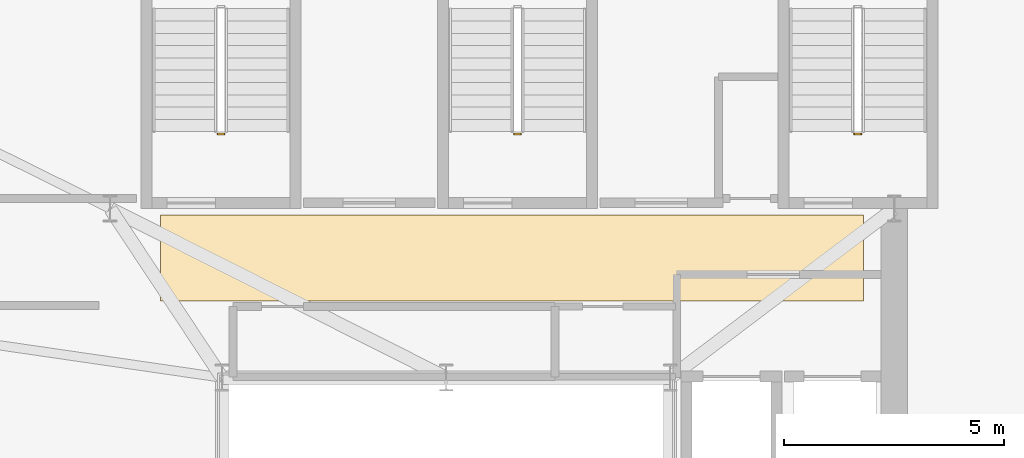
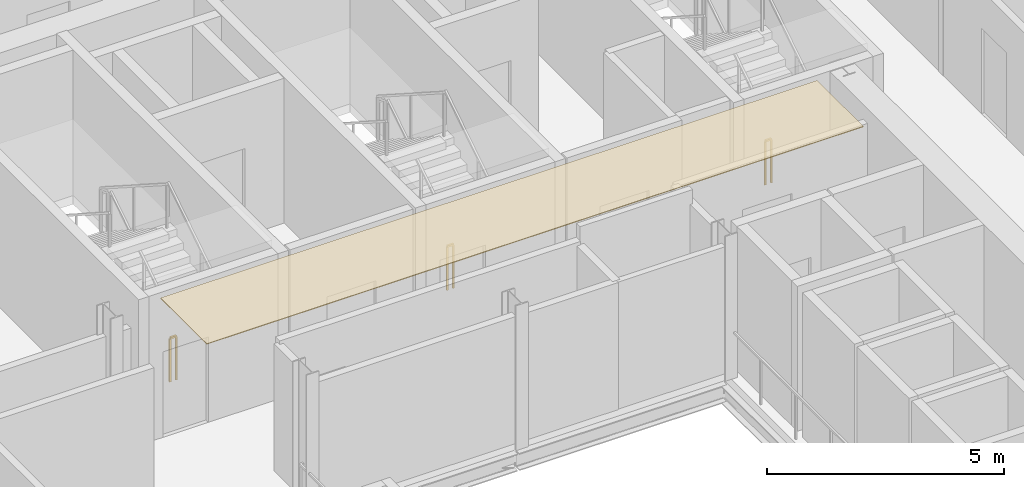
# One storey, part 13 of 15: 3 railings, 1 covering.
"""IFC4 building model written with IfcOpenShell, lengths in metres."""

import ifcopenshell
import ifcopenshell.guid

model = None  # the IFC model being written
_history = None  # IfcOwnerHistory: only IFC2X3 demands one
_inside = {}  # id of a spatial element -> (the spatial element, [elements in it])
_under = {}  # id of a project, library or spatial element -> (it, [spatial elements below it])
_declared = {}  # id of a project -> (the project, [libraries it declares])
_typed = {}  # id of a type object -> (the type object, [elements of that type])
_made_of = {}  # id of a material, layer set ... -> (it, [elements and type objects made of it])


def new_model(schema):
    """Start an empty IFC model of exactly this schema.

    Asked for "IFC4X3", IfcOpenShell would pick the latest addendum, in which some entities
    have other attributes; the version numbers below select the first issue.
    IFC2X3 requires an IfcOwnerHistory on every rooted entity: one is made here for all.
    """
    global model, _history
    if schema == "IFC4X3":
        model = ifcopenshell.file(schema_version=(4, 3, 0, 0))
    else:
        model = ifcopenshell.file(schema=schema)
    _inside.clear()
    _under.clear()
    _declared.clear()
    _typed.clear()
    _made_of.clear()
    _history = None
    if model.schema == "IFC2X3":
        org = make("IfcOrganization", Name="unknown")
        user = make(
            "IfcPersonAndOrganization",
            ThePerson=make("IfcPerson", FamilyName="unknown"),
            TheOrganization=org,
        )
        app = make(
            "IfcApplication",
            ApplicationDeveloper=org,
            Version="unknown",
            ApplicationFullName="unknown",
            ApplicationIdentifier="unknown",
        )
        _history = make(
            "IfcOwnerHistory",
            OwningUser=user,
            OwningApplication=app,
            ChangeAction="ADDED",
            CreationDate=0,
        )
    return model


def make(cls, **values):
    """One entity of the class cls with the attributes given. An attribute that is None is left unset."""
    return model.create_entity(
        cls, **{name: value for name, value in values.items() if value is not None}
    )


def rooted(cls, **values):
    """An entity with a GlobalId (a new one), such as an element, a storey or a relation."""
    return make(cls, GlobalId=ifcopenshell.guid.new(), OwnerHistory=_history, **values)


def si_unit(unit_type, name, prefix=None):
    """IfcSIUnit, for example si_unit("LENGTHUNIT", "METRE", prefix="MILLI")."""
    return make("IfcSIUnit", UnitType=unit_type, Prefix=prefix, Name=name)


def assignment(units):
    """IfcUnitAssignment: the units of a project."""
    return None if units is None else make("IfcUnitAssignment", Units=units)


def point(xyz):
    """IfcCartesianPoint."""
    return None if xyz is None else make("IfcCartesianPoint", Coordinates=xyz)


def direction(xyz):
    """IfcDirection."""
    return None if xyz is None else make("IfcDirection", DirectionRatios=xyz)


def frame(location, z_axis=None, x_axis=None):
    """IfcAxis2Placement3D, a coordinate frame: its origin and axes. An axis left out is left unset."""
    return make(
        "IfcAxis2Placement3D",
        Location=point(location),
        Axis=direction(z_axis),
        RefDirection=direction(x_axis),
    )


def frame_2d(location, x_axis=None):
    """IfcAxis2Placement2D, a coordinate frame in the plane: its origin and x axis."""
    return make(
        "IfcAxis2Placement2D", Location=point(location), RefDirection=direction(x_axis)
    )


def origin():
    """The frame at (0, 0, 0) with its axes left unset."""
    return frame((0.0, 0.0, 0.0))


def origin_2d():
    """The frame at (0, 0) in the plane with its x axis left unset."""
    return frame_2d((0.0, 0.0))


def place(relative_to, where):
    """IfcLocalPlacement: puts the frame where relative to a parent placement (None: the world)."""
    return make(
        "IfcLocalPlacement", PlacementRelTo=relative_to, RelativePlacement=where
    )


def context(
    kind, dimensions, precision=None, world=None, true_north=None, identifier=None
):
    """IfcGeometricRepresentationContext, for example the 3D "Model" context."""
    return make(
        "IfcGeometricRepresentationContext",
        ContextIdentifier=identifier,
        ContextType=kind,
        CoordinateSpaceDimension=dimensions,
        Precision=precision,
        WorldCoordinateSystem=world,
        TrueNorth=true_north,
    )


def subcontext(parent, identifier, kind, view, scale=None):
    """IfcGeometricRepresentationSubContext, for example "Body" below "Model"."""
    return make(
        "IfcGeometricRepresentationSubContext",
        ContextIdentifier=identifier,
        ContextType=kind,
        ParentContext=parent,
        TargetScale=scale,
        TargetView=view,
    )


def project(units=None, contexts=None):
    """IfcProject with its units and contexts."""
    return rooted(
        "IfcProject",
        Name="project",
        RepresentationContexts=contexts,
        UnitsInContext=assignment(units),
    )


def spatial(cls, under=None, at=None, **own):
    """A site, building, storey or space (cls), placed at a placement, below another one or the project."""
    s = rooted(cls, ObjectPlacement=at, **own)
    if under is not None:
        _under.setdefault(under.id(), (under, []))[1].append(s)
    return s


def polyline(points):
    """IfcPolyline through the points."""
    return make("IfcPolyline", Points=[point(p) for p in points])


def profile(cls, at=None, kind="AREA", **sizes):
    """A parametric profile (cls). Its sizes go by their IFC names, for example OverallWidth=200.0."""
    return make(cls, ProfileType=kind, Position=at, **sizes)


def rectangle(**sizes):
    """IfcRectangleProfileDef."""
    return profile("IfcRectangleProfileDef", **sizes)


def outline(outer, holes=None, kind="AREA"):
    """IfcArbitraryClosedProfileDef: a profile drawn as a closed curve; with holes, ...WithVoids."""
    if holes is None:
        return make("IfcArbitraryClosedProfileDef", ProfileType=kind, OuterCurve=outer)
    return make(
        "IfcArbitraryProfileDefWithVoids",
        ProfileType=kind,
        OuterCurve=outer,
        InnerCurves=holes,
    )


def extrude(swept, where, along, depth):
    """IfcExtrudedAreaSolid: the profile swept, set in the frame where, extruded along a direction by depth."""
    return make(
        "IfcExtrudedAreaSolid",
        SweptArea=swept,
        Position=where,
        ExtrudedDirection=direction(along),
        Depth=depth,
    )


def shape(context_of_items, identifier, shape_type, items):
    """IfcShapeRepresentation: the items that make up one representation, for example the "Body"."""
    return make(
        "IfcShapeRepresentation",
        ContextOfItems=context_of_items,
        RepresentationIdentifier=identifier,
        RepresentationType=shape_type,
        Items=items,
    )


def source(mapping_origin, context_of_items, identifier, shape_type, items):
    """IfcRepresentationMap: a shape defined once, which mapped items show again and again."""
    return make(
        "IfcRepresentationMap",
        MappingOrigin=mapping_origin,
        MappedRepresentation=shape(context_of_items, identifier, shape_type, items),
    )


def transform(
    local_origin,
    x_axis=None,
    y_axis=None,
    z_axis=None,
    scale=None,
    scale2=None,
    scale3=None,
    uniform=True,
):
    """IfcCartesianTransformationOperator3D, or its non-uniform kind. x_axis, y_axis, z_axis: its Axis1, 2, 3."""
    if uniform:
        return make(
            "IfcCartesianTransformationOperator3D",
            Axis1=direction(x_axis),
            Axis2=direction(y_axis),
            LocalOrigin=point(local_origin),
            Scale=scale,
            Axis3=direction(z_axis),
        )
    return make(
        "IfcCartesianTransformationOperator3DnonUniform",
        Axis1=direction(x_axis),
        Axis2=direction(y_axis),
        LocalOrigin=point(local_origin),
        Scale=scale,
        Axis3=direction(z_axis),
        Scale2=scale2,
        Scale3=scale3,
    )


def mapped(mapping_source, mapping_target):
    """IfcMappedItem: shows the shape of a source again, moved by a transform."""
    return make(
        "IfcMappedItem", MappingSource=mapping_source, MappingTarget=mapping_target
    )


def material(Name=None, Category=None):
    """IfcMaterial."""
    return make("IfcMaterial", Name=Name, Category=Category)


def layer(
    of_material, thickness, ventilated=None, Name=None, Category=None, Priority=None
):
    """IfcMaterialLayer: one layer of a wall or slab, of a material (None: an air gap)."""
    return make(
        "IfcMaterialLayer",
        Material=of_material,
        LayerThickness=thickness,
        IsVentilated=ventilated,
        Name=Name,
        Category=Category,
        Priority=Priority,
    )


def layer_set(layers, Name=None):
    """IfcMaterialLayerSet."""
    return make("IfcMaterialLayerSet", MaterialLayers=layers, LayerSetName=Name)


def made_of(thing, what):
    """Note that an element or type object is made of a material, layer set ...; save() writes the relation."""
    if what is not None:
        _made_of.setdefault(what.id(), (what, []))[1].append(thing)
    return thing


def type_object(cls, material=None, **own):
    """A type object (cls), such as IfcWallType, which elements share."""
    return made_of(rooted(cls, **own), material)


def element(
    cls,
    number,
    at=None,
    inside=None,
    cuts=None,
    type_object=None,
    material=None,
    context=None,
    identifier="Body",
    shape_type=None,
    held_by="IfcProductDefinitionShape",
    body=None,
    shapes=None,
    **own,
):
    """One element of the class cls, such as IfcWall. Its Tag is "e" and its number.

    at: its placement. inside: the storey or other place that contains it. cuts: it is an
    opening in that element (IfcRelVoidsElement). A single representation is given by context,
    identifier, shape_type and body (its items); several are given by shapes. held_by: the class
    of the entity that holds the representations. save() writes the other relations.
    """
    e = rooted(cls, Tag="e%d" % number, ObjectPlacement=at, **own)
    if body is not None:
        shapes = [shape(context, identifier, shape_type, body)]
    if shapes is not None:
        e.Representation = make(held_by, Representations=shapes)
    if inside is not None:
        _inside.setdefault(inside.id(), (inside, []))[1].append(e)
    if cuts is not None:
        rooted(
            "IfcRelVoidsElement", RelatingBuildingElement=cuts, RelatedOpeningElement=e
        )
    if type_object is not None:
        _typed.setdefault(type_object.id(), (type_object, []))[1].append(e)
    return made_of(e, material)


def aggregate(whole, parts):
    """IfcRelAggregates: a whole, such as a stair, and the parts it consists of."""
    return rooted("IfcRelAggregates", RelatingObject=whole, RelatedObjects=parts)


def save(model, path):
    """Write the relations noted so far, then the file.

    IfcRelAggregates (storeys below a building ...), IfcRelContainedInSpatialStructure (elements
    in a storey), IfcRelDefinesByType, IfcRelAssociatesMaterial and IfcRelDeclares: one each for
    every whole, place, type object, material and project.
    """
    for whole, parts in _under.values():
        aggregate(whole, parts)
    for where, things in _inside.values():
        rooted(
            "IfcRelContainedInSpatialStructure",
            RelatedElements=things,
            RelatingStructure=where,
        )
    for kind, things in _typed.values():
        rooted("IfcRelDefinesByType", RelatedObjects=things, RelatingType=kind)
    for what, things in _made_of.values():
        rooted("IfcRelAssociatesMaterial", RelatedObjects=things, RelatingMaterial=what)
    for by, libraries in _declared.values():
        rooted("IfcRelDeclares", RelatingContext=by, RelatedDefinitions=libraries)
    model.write(path)


model = new_model("IFC4")

# Units and contexts
model_context = context("Model", 3, precision=1e-05, world=origin(), true_north=direction((0.0, 1.0)))
body_context = subcontext(model_context, "Body", "Model", "MODEL_VIEW")
ifc_project = project(units=[si_unit("LENGTHUNIT", "METRE"), si_unit("AREAUNIT", "SQUARE_METRE"), si_unit("VOLUMEUNIT", "CUBIC_METRE"), si_unit("PLANEANGLEUNIT", "RADIAN"), si_unit("MASSUNIT", "GRAM", prefix="KILO")], contexts=[model_context])

# Site, building, storey
site_placement = place(None, origin())
site = spatial("IfcSite", under=ifc_project, at=site_placement, CompositionType="ELEMENT")
building_placement = place(site_placement, origin())
building = spatial("IfcBuilding", under=site, at=building_placement, Name="Vardaveli Station Tower", CompositionType="ELEMENT")
storey_placement = place(building_placement, frame((0.0, 0.0, 246.64990234375)))
storey = spatial("IfcBuildingStorey", under=building, at=storey_placement, Name="L63", CompositionType="ELEMENT", Elevation=246.64990234375)

# Covering
ifc_material_1 = material(Name="Perforated acoustic mineral ceiling")
ifc_layer = layer(ifc_material_1, 0.02001953125, Name="Perforated acoustic mineral ceiling")
ifc_layer_set = layer_set([ifc_layer], Name="Perforated acoustic mineral ceiling")
covering_type = type_object("IfcCoveringType", Name="COV-CEIL-AC20", PredefinedType="CEILING", material=ifc_layer_set)
covering_placement = place(storey_placement, frame((0.0, 0.0, 3.715087890625)))
element("IfcCovering", 1, at=covering_placement, inside=storey, type_object=covering_type, Name="CEIL-L63-6", PredefinedType="CEILING", context=body_context, shape_type="SweptSolid", body=[
    extrude(outline(polyline([(29.800048828125, 28.550048828125), (45.800048828125, 28.550048828125), (45.800048828125, 30.5), (29.800048828125, 30.5), (29.800048828125, 28.550048828125)])), origin(), (0.0, 0.0, 1.0), 0.02001953125),
])

# Railings
ifc_material_2 = material(Name="Brushed AISI 316 stainless steel", Category="steel")
railing_type = type_object("IfcRailingType", Name="RL-GUARD-1150", PredefinedType="GUARDRAIL", material=ifc_material_2)
shared_shape = source(origin(), body_context, "Body", "SweptSolid", [
    extrude(rectangle(XDim=0.048095703125, YDim=0.048095703125, at=origin_2d()), frame((0.0, 0.0, 1.1259765625), z_axis=(-1.0, 0.0, 0.0), x_axis=(0.0, -1.0, 0.0)), (0.0, 0.0, 1.0), 0.14990234375),
    extrude(rectangle(XDim=0.0419921875, YDim=0.0419921875, at=origin_2d()), origin(), (0.0, 0.0, 1.0), 1.101806640625),
    extrude(rectangle(XDim=0.0419921875, YDim=0.0419921875, at=origin_2d()), frame((-0.14990234375, 0.0, 0.0)), (0.0, 0.0, 1.0), 1.101806640625),
])
for number, where, name in (
    (2, (31.25, 32.35009765625, 0.0), "L63 ST-1 stair guard 4"),
    (3, (38.0, 32.35009765625, 0.0), "L63 ST-2 stair guard 4"),
    (4, (45.75, 32.35009765625, 0.0), "L63 ST-3 stair guard 4"),
):
    element("IfcRailing", number, at=place(storey_placement, frame(where)), inside=storey, type_object=railing_type, Name=name, PredefinedType="GUARDRAIL", context=body_context, shape_type="MappedRepresentation", body=[
        mapped(shared_shape, transform((0.0, 0.0, 0.0), scale=1.0)),
    ])

save(model, "model.ifc")
